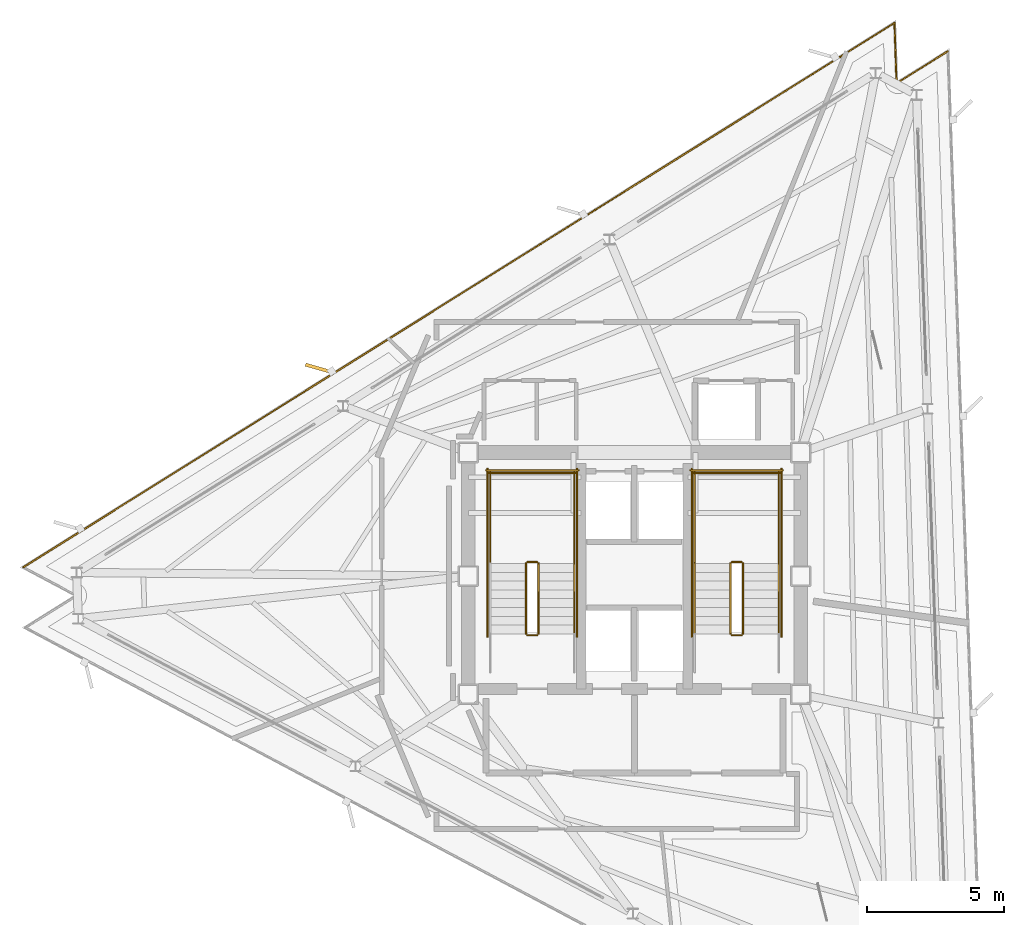
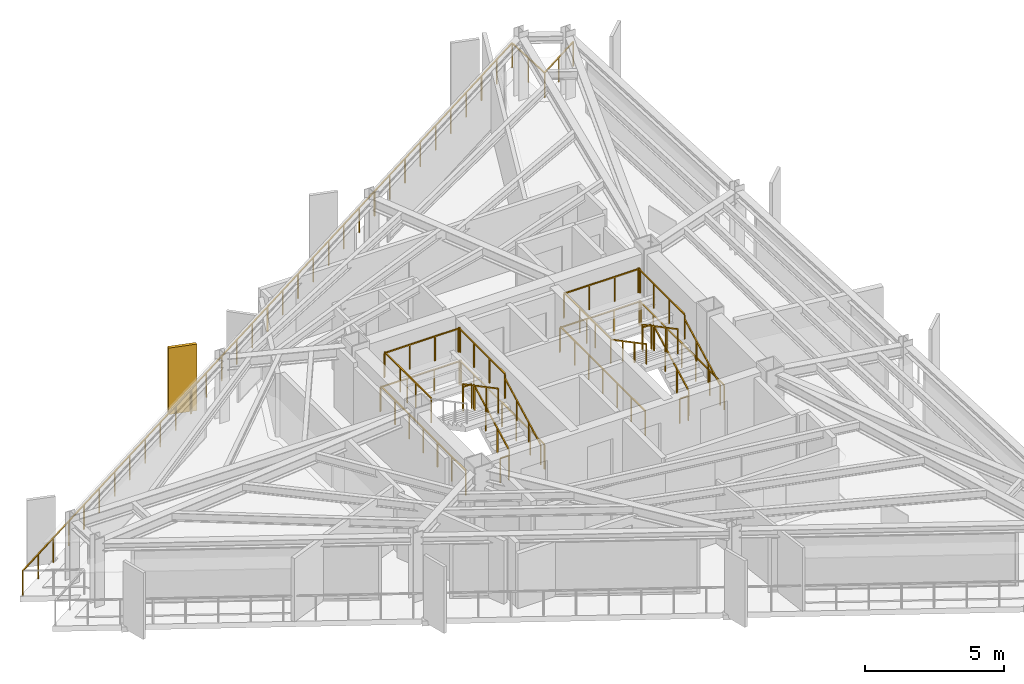
# One storey, part 11 of 12: 24 railings, 1 shading device.
"""IFC4 building model written with IfcOpenShell, lengths in metres."""

from ifc_helpers import new_model, si_unit, direction, frame, origin, origin_2d, place, context, subcontext, project, spatial, rectangle, extrude, material, layer, layer_set, type_object, element, save


model = new_model("IFC4")

# Units and contexts
model_context = context("Model", 3, precision=1e-05, world=origin(), true_north=direction((0.0, 1.0)))
body_context = subcontext(model_context, "Body", "Model", "MODEL_VIEW")
ifc_project = project(units=[si_unit("LENGTHUNIT", "METRE"), si_unit("AREAUNIT", "SQUARE_METRE"), si_unit("VOLUMEUNIT", "CUBIC_METRE"), si_unit("PLANEANGLEUNIT", "RADIAN"), si_unit("MASSUNIT", "GRAM", prefix="KILO")], contexts=[model_context])

# Site, building, storey
site_placement = place(None, origin())
site = spatial("IfcSite", under=ifc_project, at=site_placement, CompositionType="ELEMENT")
building_placement = place(site_placement, origin())
building = spatial("IfcBuilding", under=site, at=building_placement, Name="Rocaltana Carrier Exchange", CompositionType="ELEMENT")
storey_placement = place(building_placement, frame((0.0, 0.0, 205.760009765625)))
storey = spatial("IfcBuildingStorey", under=building, at=storey_placement, Name="L65", CompositionType="ELEMENT", Elevation=205.760009765625)

# Railings
ifc_material_1 = material(Name="Brushed Architectural Stainless Tube", Category="steel")
ifc_layer_1 = layer(ifc_material_1, 0.048095703125)
ifc_layer_set_1 = layer_set([ifc_layer_1], Name="Brushed Architectural Stainless Tube")
railing_type_1 = type_object("IfcRailingType", Name="Stair Wall Handrail 920", PredefinedType="HANDRAIL", material=ifc_layer_set_1)
for number, where, name in (
    (1, (-2.18994140625, -2.10009765625, 0.1689453125), "L65 ST-1 stair handrail 1"),
    (2, (5.25, -2.10009765625, 0.1689453125), "L65 ST-2 stair handrail 1"),
):
    element("IfcRailing", number, at=place(storey_placement, frame(where)), inside=storey, type_object=railing_type_1, Name=name, PredefinedType="HANDRAIL", context=body_context, shape_type="SweptSolid", body=[
        extrude(rectangle(XDim=0.048095703125, YDim=0.048095703125, at=origin_2d()), frame((0.0, 0.0, 0.8759765625), z_axis=(0.0, 0.884394423565, 0.466740295633), x_axis=(-1.0, 0.0, 0.0)), (0.0, 0.0, 1.0), 2.894775390625),
        extrude(rectangle(XDim=0.0419921875, YDim=0.0419921875, at=origin_2d()), origin(), (0.0, 0.0, 1.0), 0.851806640625),
        extrude(rectangle(XDim=0.0419921875, YDim=0.0419921875, at=origin_2d()), frame((0.0, 0.853271484375, 0.450439453125)), (0.0, 0.0, 1.0), 0.851806640625),
        extrude(rectangle(XDim=0.0419921875, YDim=0.0419921875, at=origin_2d()), frame((0.0, 1.706787109375, 0.900634765625)), (0.0, 0.0, 1.0), 0.851806640625),
        extrude(rectangle(XDim=0.0419921875, YDim=0.0419921875, at=origin_2d()), frame((0.0, 2.56005859375, 1.35107421875)), (0.0, 0.0, 1.0), 0.851806640625),
    ])
railing_1_placement = place(storey_placement, frame((2.18994140625, 0.4599609375, 1.68896484375)))
element("IfcRailing", 3, at=railing_1_placement, inside=storey, type_object=railing_type_1, Name="L65 ST-2 stair handrail 2", PredefinedType="HANDRAIL", context=body_context, shape_type="SweptSolid", body=[
    extrude(rectangle(XDim=0.048095703125, YDim=0.048095703125, at=origin_2d()), frame((0.0, 0.0, 0.8759765625), z_axis=(0.0, -0.884394423565, 0.466740295633), x_axis=(1.0, 0.0, 0.0)), (0.0, 0.0, 1.0), 2.894775390625),
    extrude(rectangle(XDim=0.0419921875, YDim=0.0419921875, at=origin_2d()), origin(), (0.0, 0.0, 1.0), 0.851806640625),
    extrude(rectangle(XDim=0.0419921875, YDim=0.0419921875, at=origin_2d()), frame((0.0, -0.853271484375, 0.450439453125)), (0.0, 0.0, 1.0), 0.851806640625),
    extrude(rectangle(XDim=0.0419921875, YDim=0.0419921875, at=origin_2d()), frame((0.0, -1.706787109375, 0.900634765625)), (0.0, 0.0, 1.0), 0.851806640625),
    extrude(rectangle(XDim=0.0419921875, YDim=0.0419921875, at=origin_2d()), frame((0.0, -2.56005859375, 1.35107421875)), (0.0, 0.0, 1.0), 0.851806640625),
])
ifc_material_2 = material(Name="Powder-Coated Aluminium 6063-T6", Category="aluminium")
ifc_layer_2 = layer(ifc_material_2, 0.048095703125)
ifc_layer_set_2 = layer_set([ifc_layer_2], Name="Powder-Coated Aluminium 6063-T6")
railing_type_2 = type_object("IfcRailingType", Name="Stair Well Guardrail 1100", PredefinedType="GUARDRAIL", material=ifc_layer_set_2)
railing_2_placement = place(storey_placement, frame((-3.489990234375, -2.10009765625, 0.1689453125)))
element("IfcRailing", 4, at=railing_2_placement, inside=storey, type_object=railing_type_2, Name="L65 ST-1 stair guard 1", PredefinedType="GUARDRAIL", context=body_context, shape_type="SweptSolid", body=[
    extrude(rectangle(XDim=0.048095703125, YDim=0.048095703125, at=origin_2d()), frame((0.0, 0.0, 1.076171875), z_axis=(0.0, 0.884394423565, 0.466740295633), x_axis=(-1.0, 0.0, 0.0)), (0.0, 0.0, 1.0), 2.894775390625),
    extrude(rectangle(XDim=0.0419921875, YDim=0.0419921875, at=origin_2d()), origin(), (0.0, 0.0, 1.0), 1.052001953125),
    extrude(rectangle(XDim=0.0419921875, YDim=0.0419921875, at=origin_2d()), frame((0.0, 0.853271484375, 0.450439453125)), (0.0, 0.0, 1.0), 1.052001953125),
    extrude(rectangle(XDim=0.0419921875, YDim=0.0419921875, at=origin_2d()), frame((0.0, 1.706787109375, 0.900634765625)), (0.0, 0.0, 1.0), 1.052001953125),
    extrude(rectangle(XDim=0.0419921875, YDim=0.0419921875, at=origin_2d()), frame((0.0, 2.56005859375, 1.35107421875)), (0.0, 0.0, 1.0), 1.052001953125),
])
railing_3_placement = place(storey_placement, frame((-3.5400390625, 0.510009765625, 1.52001953125)))
element("IfcRailing", 5, at=railing_3_placement, inside=storey, type_object=railing_type_2, Name="L65 ST-1 stair guard 2", PredefinedType="GUARDRAIL", context=body_context, shape_type="SweptSolid", body=[
    extrude(rectangle(XDim=0.048095703125, YDim=0.048095703125, at=origin_2d()), frame((0.0, 0.0, 1.076171875), z_axis=(-1.0, 0.0, 0.0), x_axis=(0.0, -1.0, 0.0)), (0.0, 0.0, 1.0), 0.35986328125),
    extrude(rectangle(XDim=0.0419921875, YDim=0.0419921875, at=origin_2d()), origin(), (0.0, 0.0, 1.0), 1.052001953125),
    extrude(rectangle(XDim=0.0419921875, YDim=0.0419921875, at=origin_2d()), frame((-0.35986328125, 0.0, 0.0)), (0.0, 0.0, 1.0), 1.052001953125),
])
for number, where, name in (
    (6, (-2.18994140625, 0.4599609375, 1.52001953125), "L65 ST-1 stair guard 3"),
    (7, (-5.25, 0.4599609375, 1.52001953125), "L65 ST-1 stair guard 4"),
):
    element("IfcRailing", number, at=place(storey_placement, frame(where)), inside=storey, type_object=railing_type_2, Name=name, PredefinedType="GUARDRAIL", context=body_context, shape_type="SweptSolid", body=[
        extrude(rectangle(XDim=0.048095703125, YDim=0.048095703125, at=origin_2d()), frame((0.0, 0.0, 1.076171875), z_axis=(0.0, 1.0, 0.0), x_axis=(-1.0, 0.0, 0.0)), (0.0, 0.0, 1.0), 3.340087890625),
        extrude(rectangle(XDim=0.0419921875, YDim=0.0419921875, at=origin_2d()), origin(), (0.0, 0.0, 1.0), 1.052001953125),
        extrude(rectangle(XDim=0.0419921875, YDim=0.0419921875, at=origin_2d()), frame((0.0, 1.11328125, 0.0)), (0.0, 0.0, 1.0), 1.052001953125),
        extrude(rectangle(XDim=0.0419921875, YDim=0.0419921875, at=origin_2d()), frame((0.0, 2.226806640625, 0.0)), (0.0, 0.0, 1.0), 1.052001953125),
        extrude(rectangle(XDim=0.0419921875, YDim=0.0419921875, at=origin_2d()), frame((0.0, 3.340087890625, 0.0)), (0.0, 0.0, 1.0), 1.052001953125),
    ])
railing_4_placement = place(storey_placement, frame((-2.139892578125, 3.75, 1.52001953125)))
element("IfcRailing", 8, at=railing_4_placement, inside=storey, type_object=railing_type_2, Name="L65 ST-1 stair guard 5", PredefinedType="GUARDRAIL", context=body_context, shape_type="SweptSolid", body=[
    extrude(rectangle(XDim=0.048095703125, YDim=0.048095703125, at=origin_2d()), frame((0.0, 0.0, 1.076171875), z_axis=(-1.0, 0.0, 0.0), x_axis=(0.0, -1.0, 0.0)), (0.0, 0.0, 1.0), 3.16015625),
    extrude(rectangle(XDim=0.0419921875, YDim=0.0419921875, at=origin_2d()), origin(), (0.0, 0.0, 1.0), 1.052001953125),
    extrude(rectangle(XDim=0.0419921875, YDim=0.0419921875, at=origin_2d()), frame((-1.053466796875, 0.0, 0.0)), (0.0, 0.0, 1.0), 1.052001953125),
    extrude(rectangle(XDim=0.0419921875, YDim=0.0419921875, at=origin_2d()), frame((-2.106689453125, 0.0, 0.0)), (0.0, 0.0, 1.0), 1.052001953125),
    extrude(rectangle(XDim=0.0419921875, YDim=0.0419921875, at=origin_2d()), frame((-3.16015625, 0.0, 0.0)), (0.0, 0.0, 1.0), 1.052001953125),
])
railing_5_placement = place(storey_placement, frame((-3.949951171875, 0.4599609375, 1.68896484375)))
element("IfcRailing", 9, at=railing_5_placement, inside=storey, type_object=railing_type_2, Name="L65 ST-1 stair guard 6", PredefinedType="GUARDRAIL", context=body_context, shape_type="SweptSolid", body=[
    extrude(rectangle(XDim=0.048095703125, YDim=0.048095703125, at=origin_2d()), frame((0.0, 0.0, 1.076171875), z_axis=(0.0, -0.884394423565, 0.466740295633), x_axis=(1.0, 0.0, 0.0)), (0.0, 0.0, 1.0), 2.894775390625),
    extrude(rectangle(XDim=0.0419921875, YDim=0.0419921875, at=origin_2d()), origin(), (0.0, 0.0, 1.0), 1.052001953125),
    extrude(rectangle(XDim=0.0419921875, YDim=0.0419921875, at=origin_2d()), frame((0.0, -0.853271484375, 0.450439453125)), (0.0, 0.0, 1.0), 1.052001953125),
    extrude(rectangle(XDim=0.0419921875, YDim=0.0419921875, at=origin_2d()), frame((0.0, -1.706787109375, 0.900634765625)), (0.0, 0.0, 1.0), 1.052001953125),
    extrude(rectangle(XDim=0.0419921875, YDim=0.0419921875, at=origin_2d()), frame((0.0, -2.56005859375, 1.35107421875)), (0.0, 0.0, 1.0), 1.052001953125),
])
railing_6_placement = place(storey_placement, frame((-3.5400390625, -2.14990234375, 0.0)))
element("IfcRailing", 10, at=railing_6_placement, inside=storey, type_object=railing_type_2, Name="L65 ST-1 stair guard 7", PredefinedType="GUARDRAIL", context=body_context, shape_type="SweptSolid", body=[
    extrude(rectangle(XDim=0.048095703125, YDim=0.048095703125, at=origin_2d()), frame((0.0, 0.0, 1.076171875), z_axis=(-1.0, 0.0, 0.0), x_axis=(0.0, -1.0, 0.0)), (0.0, 0.0, 1.0), 0.35986328125),
    extrude(rectangle(XDim=0.0419921875, YDim=0.0419921875, at=origin_2d()), origin(), (0.0, 0.0, 1.0), 1.052001953125),
    extrude(rectangle(XDim=0.0419921875, YDim=0.0419921875, at=origin_2d()), frame((-0.35986328125, 0.0, 0.0)), (0.0, 0.0, 1.0), 1.052001953125),
])
for number, where, name in (
    (11, (-2.090087890625, -2.199951171875, 0.0), "L65 ST-1 stair guard 10"),
    (12, (-5.35009765625, -2.199951171875, 0.0), "L65 ST-1 stair guard 11"),
):
    element("IfcRailing", number, at=place(storey_placement, frame(where)), inside=storey, type_object=railing_type_2, Name=name, PredefinedType="GUARDRAIL", context=body_context, shape_type="SweptSolid", body=[
        extrude(rectangle(XDim=0.048095703125, YDim=0.048095703125, at=origin_2d()), frame((0.0, 0.0, 1.076171875), z_axis=(0.0, 1.0, 0.0), x_axis=(-1.0, 0.0, 0.0)), (0.0, 0.0, 1.0), 6.099853515625),
        extrude(rectangle(XDim=0.0419921875, YDim=0.0419921875, at=origin_2d()), origin(), (0.0, 0.0, 1.0), 1.052001953125),
        extrude(rectangle(XDim=0.0419921875, YDim=0.0419921875, at=origin_2d()), frame((0.0, 1.0166015625, 0.0)), (0.0, 0.0, 1.0), 1.052001953125),
        extrude(rectangle(XDim=0.0419921875, YDim=0.0419921875, at=origin_2d()), frame((0.0, 2.033203125, 0.0)), (0.0, 0.0, 1.0), 1.052001953125),
        extrude(rectangle(XDim=0.0419921875, YDim=0.0419921875, at=origin_2d()), frame((0.0, 3.0498046875, 0.0)), (0.0, 0.0, 1.0), 1.052001953125),
        extrude(rectangle(XDim=0.0419921875, YDim=0.0419921875, at=origin_2d()), frame((0.0, 4.066650390625, 0.0)), (0.0, 0.0, 1.0), 1.052001953125),
        extrude(rectangle(XDim=0.0419921875, YDim=0.0419921875, at=origin_2d()), frame((0.0, 5.083251953125, 0.0)), (0.0, 0.0, 1.0), 1.052001953125),
        extrude(rectangle(XDim=0.0419921875, YDim=0.0419921875, at=origin_2d()), frame((0.0, 6.099853515625, 0.0)), (0.0, 0.0, 1.0), 1.052001953125),
    ])
railing_7_placement = place(storey_placement, frame((-2.0400390625, 3.85009765625, 0.0)))
element("IfcRailing", 13, at=railing_7_placement, inside=storey, type_object=railing_type_2, Name="L65 ST-1 stair guard 12", PredefinedType="GUARDRAIL", context=body_context, shape_type="SweptSolid", body=[
    extrude(rectangle(XDim=0.048095703125, YDim=0.048095703125, at=origin_2d()), frame((0.0, 0.0, 1.076171875), z_axis=(-1.0, 0.0, 0.0), x_axis=(0.0, -1.0, 0.0)), (0.0, 0.0, 1.0), 3.35986328125),
    extrude(rectangle(XDim=0.0419921875, YDim=0.0419921875, at=origin_2d()), origin(), (0.0, 0.0, 1.0), 1.052001953125),
    extrude(rectangle(XDim=0.0419921875, YDim=0.0419921875, at=origin_2d()), frame((-1.119873046875, 0.0, 0.0)), (0.0, 0.0, 1.0), 1.052001953125),
    extrude(rectangle(XDim=0.0419921875, YDim=0.0419921875, at=origin_2d()), frame((-2.239990234375, 0.0, 0.0)), (0.0, 0.0, 1.0), 1.052001953125),
    extrude(rectangle(XDim=0.0419921875, YDim=0.0419921875, at=origin_2d()), frame((-3.35986328125, 0.0, 0.0)), (0.0, 0.0, 1.0), 1.052001953125),
])
railing_8_placement = place(storey_placement, frame((3.949951171875, -2.10009765625, 0.1689453125)))
element("IfcRailing", 14, at=railing_8_placement, inside=storey, type_object=railing_type_2, Name="L65 ST-2 stair guard 1", PredefinedType="GUARDRAIL", context=body_context, shape_type="SweptSolid", body=[
    extrude(rectangle(XDim=0.048095703125, YDim=0.048095703125, at=origin_2d()), frame((0.0, 0.0, 1.076171875), z_axis=(0.0, 0.884394423565, 0.466740295633), x_axis=(-1.0, 0.0, 0.0)), (0.0, 0.0, 1.0), 2.894775390625),
    extrude(rectangle(XDim=0.0419921875, YDim=0.0419921875, at=origin_2d()), origin(), (0.0, 0.0, 1.0), 1.052001953125),
    extrude(rectangle(XDim=0.0419921875, YDim=0.0419921875, at=origin_2d()), frame((0.0, 0.853271484375, 0.450439453125)), (0.0, 0.0, 1.0), 1.052001953125),
    extrude(rectangle(XDim=0.0419921875, YDim=0.0419921875, at=origin_2d()), frame((0.0, 1.706787109375, 0.900634765625)), (0.0, 0.0, 1.0), 1.052001953125),
    extrude(rectangle(XDim=0.0419921875, YDim=0.0419921875, at=origin_2d()), frame((0.0, 2.56005859375, 1.35107421875)), (0.0, 0.0, 1.0), 1.052001953125),
])
railing_9_placement = place(storey_placement, frame((3.89990234375, 0.510009765625, 1.52001953125)))
element("IfcRailing", 15, at=railing_9_placement, inside=storey, type_object=railing_type_2, Name="L65 ST-2 stair guard 2", PredefinedType="GUARDRAIL", context=body_context, shape_type="SweptSolid", body=[
    extrude(rectangle(XDim=0.048095703125, YDim=0.048095703125, at=origin_2d()), frame((0.0, 0.0, 1.076171875), z_axis=(-1.0, 0.0, 0.0), x_axis=(0.0, -1.0, 0.0)), (0.0, 0.0, 1.0), 0.35986328125),
    extrude(rectangle(XDim=0.0419921875, YDim=0.0419921875, at=origin_2d()), origin(), (0.0, 0.0, 1.0), 1.052001953125),
    extrude(rectangle(XDim=0.0419921875, YDim=0.0419921875, at=origin_2d()), frame((-0.35986328125, 0.0, 0.0)), (0.0, 0.0, 1.0), 1.052001953125),
])
for number, where, name in (
    (16, (5.25, 0.4599609375, 1.52001953125), "L65 ST-2 stair guard 3"),
    (17, (2.18994140625, 0.4599609375, 1.52001953125), "L65 ST-2 stair guard 4"),
):
    element("IfcRailing", number, at=place(storey_placement, frame(where)), inside=storey, type_object=railing_type_2, Name=name, PredefinedType="GUARDRAIL", context=body_context, shape_type="SweptSolid", body=[
        extrude(rectangle(XDim=0.048095703125, YDim=0.048095703125, at=origin_2d()), frame((0.0, 0.0, 1.076171875), z_axis=(0.0, 1.0, 0.0), x_axis=(-1.0, 0.0, 0.0)), (0.0, 0.0, 1.0), 3.340087890625),
        extrude(rectangle(XDim=0.0419921875, YDim=0.0419921875, at=origin_2d()), origin(), (0.0, 0.0, 1.0), 1.052001953125),
        extrude(rectangle(XDim=0.0419921875, YDim=0.0419921875, at=origin_2d()), frame((0.0, 1.11328125, 0.0)), (0.0, 0.0, 1.0), 1.052001953125),
        extrude(rectangle(XDim=0.0419921875, YDim=0.0419921875, at=origin_2d()), frame((0.0, 2.226806640625, 0.0)), (0.0, 0.0, 1.0), 1.052001953125),
        extrude(rectangle(XDim=0.0419921875, YDim=0.0419921875, at=origin_2d()), frame((0.0, 3.340087890625, 0.0)), (0.0, 0.0, 1.0), 1.052001953125),
    ])
railing_10_placement = place(storey_placement, frame((5.300048828125, 3.75, 1.52001953125)))
element("IfcRailing", 18, at=railing_10_placement, inside=storey, type_object=railing_type_2, Name="L65 ST-2 stair guard 5", PredefinedType="GUARDRAIL", context=body_context, shape_type="SweptSolid", body=[
    extrude(rectangle(XDim=0.048095703125, YDim=0.048095703125, at=origin_2d()), frame((0.0, 0.0, 1.076171875), z_axis=(-1.0, 0.0, 0.0), x_axis=(0.0, -1.0, 0.0)), (0.0, 0.0, 1.0), 3.16015625),
    extrude(rectangle(XDim=0.0419921875, YDim=0.0419921875, at=origin_2d()), origin(), (0.0, 0.0, 1.0), 1.052001953125),
    extrude(rectangle(XDim=0.0419921875, YDim=0.0419921875, at=origin_2d()), frame((-1.053466796875, 0.0, 0.0)), (0.0, 0.0, 1.0), 1.052001953125),
    extrude(rectangle(XDim=0.0419921875, YDim=0.0419921875, at=origin_2d()), frame((-2.106689453125, 0.0, 0.0)), (0.0, 0.0, 1.0), 1.052001953125),
    extrude(rectangle(XDim=0.0419921875, YDim=0.0419921875, at=origin_2d()), frame((-3.16015625, 0.0, 0.0)), (0.0, 0.0, 1.0), 1.052001953125),
])
railing_11_placement = place(storey_placement, frame((3.489990234375, 0.4599609375, 1.68896484375)))
element("IfcRailing", 19, at=railing_11_placement, inside=storey, type_object=railing_type_2, Name="L65 ST-2 stair guard 6", PredefinedType="GUARDRAIL", context=body_context, shape_type="SweptSolid", body=[
    extrude(rectangle(XDim=0.048095703125, YDim=0.048095703125, at=origin_2d()), frame((0.0, 0.0, 1.076171875), z_axis=(0.0, -0.884394423565, 0.466740295633), x_axis=(1.0, 0.0, 0.0)), (0.0, 0.0, 1.0), 2.894775390625),
    extrude(rectangle(XDim=0.0419921875, YDim=0.0419921875, at=origin_2d()), origin(), (0.0, 0.0, 1.0), 1.052001953125),
    extrude(rectangle(XDim=0.0419921875, YDim=0.0419921875, at=origin_2d()), frame((0.0, -0.853271484375, 0.450439453125)), (0.0, 0.0, 1.0), 1.052001953125),
    extrude(rectangle(XDim=0.0419921875, YDim=0.0419921875, at=origin_2d()), frame((0.0, -1.706787109375, 0.900634765625)), (0.0, 0.0, 1.0), 1.052001953125),
    extrude(rectangle(XDim=0.0419921875, YDim=0.0419921875, at=origin_2d()), frame((0.0, -2.56005859375, 1.35107421875)), (0.0, 0.0, 1.0), 1.052001953125),
])
railing_12_placement = place(storey_placement, frame((3.89990234375, -2.14990234375, 0.0)))
element("IfcRailing", 20, at=railing_12_placement, inside=storey, type_object=railing_type_2, Name="L65 ST-2 stair guard 7", PredefinedType="GUARDRAIL", context=body_context, shape_type="SweptSolid", body=[
    extrude(rectangle(XDim=0.048095703125, YDim=0.048095703125, at=origin_2d()), frame((0.0, 0.0, 1.076171875), z_axis=(-1.0, 0.0, 0.0), x_axis=(0.0, -1.0, 0.0)), (0.0, 0.0, 1.0), 0.35986328125),
    extrude(rectangle(XDim=0.0419921875, YDim=0.0419921875, at=origin_2d()), origin(), (0.0, 0.0, 1.0), 1.052001953125),
    extrude(rectangle(XDim=0.0419921875, YDim=0.0419921875, at=origin_2d()), frame((-0.35986328125, 0.0, 0.0)), (0.0, 0.0, 1.0), 1.052001953125),
])
for number, where, name in (
    (21, (5.35009765625, -2.199951171875, 0.0), "L65 ST-2 stair guard 10"),
    (22, (2.090087890625, -2.199951171875, 0.0), "L65 ST-2 stair guard 11"),
):
    element("IfcRailing", number, at=place(storey_placement, frame(where)), inside=storey, type_object=railing_type_2, Name=name, PredefinedType="GUARDRAIL", context=body_context, shape_type="SweptSolid", body=[
        extrude(rectangle(XDim=0.048095703125, YDim=0.048095703125, at=origin_2d()), frame((0.0, 0.0, 1.076171875), z_axis=(0.0, 1.0, 0.0), x_axis=(-1.0, 0.0, 0.0)), (0.0, 0.0, 1.0), 6.099853515625),
        extrude(rectangle(XDim=0.0419921875, YDim=0.0419921875, at=origin_2d()), origin(), (0.0, 0.0, 1.0), 1.052001953125),
        extrude(rectangle(XDim=0.0419921875, YDim=0.0419921875, at=origin_2d()), frame((0.0, 1.0166015625, 0.0)), (0.0, 0.0, 1.0), 1.052001953125),
        extrude(rectangle(XDim=0.0419921875, YDim=0.0419921875, at=origin_2d()), frame((0.0, 2.033203125, 0.0)), (0.0, 0.0, 1.0), 1.052001953125),
        extrude(rectangle(XDim=0.0419921875, YDim=0.0419921875, at=origin_2d()), frame((0.0, 3.0498046875, 0.0)), (0.0, 0.0, 1.0), 1.052001953125),
        extrude(rectangle(XDim=0.0419921875, YDim=0.0419921875, at=origin_2d()), frame((0.0, 4.066650390625, 0.0)), (0.0, 0.0, 1.0), 1.052001953125),
        extrude(rectangle(XDim=0.0419921875, YDim=0.0419921875, at=origin_2d()), frame((0.0, 5.083251953125, 0.0)), (0.0, 0.0, 1.0), 1.052001953125),
        extrude(rectangle(XDim=0.0419921875, YDim=0.0419921875, at=origin_2d()), frame((0.0, 6.099853515625, 0.0)), (0.0, 0.0, 1.0), 1.052001953125),
    ])
railing_13_placement = place(storey_placement, frame((5.39990234375, 3.85009765625, 0.0)))
element("IfcRailing", 23, at=railing_13_placement, inside=storey, type_object=railing_type_2, Name="L65 ST-2 stair guard 12", PredefinedType="GUARDRAIL", context=body_context, shape_type="SweptSolid", body=[
    extrude(rectangle(XDim=0.048095703125, YDim=0.048095703125, at=origin_2d()), frame((0.0, 0.0, 1.076171875), z_axis=(-1.0, 0.0, 0.0), x_axis=(0.0, -1.0, 0.0)), (0.0, 0.0, 1.0), 3.35986328125),
    extrude(rectangle(XDim=0.0419921875, YDim=0.0419921875, at=origin_2d()), origin(), (0.0, 0.0, 1.0), 1.052001953125),
    extrude(rectangle(XDim=0.0419921875, YDim=0.0419921875, at=origin_2d()), frame((-1.119873046875, 0.0, 0.0)), (0.0, 0.0, 1.0), 1.052001953125),
    extrude(rectangle(XDim=0.0419921875, YDim=0.0419921875, at=origin_2d()), frame((-2.239990234375, 0.0, 0.0)), (0.0, 0.0, 1.0), 1.052001953125),
    extrude(rectangle(XDim=0.0419921875, YDim=0.0419921875, at=origin_2d()), frame((-3.35986328125, 0.0, 0.0)), (0.0, 0.0, 1.0), 1.052001953125),
])

# Shading device
ifc_material_3 = material(Name="Honed Bogota Sandstone & Concrete C45/55", Category="masonry")
ifc_layer_3 = layer(ifc_material_3, 0.1201171875)
ifc_layer_set_3 = layer_set([ifc_layer_3], Name="Honed Bogota Sandstone & Concrete C45/55")
shading_device_type = type_object("IfcShadingDeviceType", Name="Upper Sandstone Shading Fin 1050x120", PredefinedType="USERDEFINED", material=ifc_layer_set_3)
shading_device_placement = place(storey_placement, frame((-11.470703125, 7.55419921875, -0.119873046875), z_axis=(0.0, 0.0, 1.0), x_axis=(-0.961261695938, 0.275637355817, 0.0)))
element("IfcShadingDevice", 24, at=shading_device_placement, inside=storey, type_object=shading_device_type, Name="L65 Sandstone Vertical Fin F2-03", ObjectType="FIN", PredefinedType="USERDEFINED", context=body_context, shape_type="SweptSolid", body=[
    extrude(rectangle(XDim=1.050048828125, YDim=0.1201171875, at=origin_2d()), origin(), (0.0, 0.0, 1.0), 2.91796875),
])

# Railing
ifc_material_4 = material(Name="Powder-Coated Aluminium 6063-T6", Category="aluminium")
ifc_layer_4 = layer(ifc_material_4, 0.06005859375)
ifc_layer_set_4 = layer_set([ifc_layer_4], Name="Powder-Coated Aluminium 6063-T6")
railing_type_3 = type_object("IfcRailingType", Name="Wind-Floor & Terrace Perimeter Guardrail 1100", PredefinedType="GUARDRAIL", material=ifc_layer_set_4)
railing_14_placement = place(storey_placement, frame((-22.248291015625, 0.32373046875, 0.0)))
element("IfcRailing", 25, at=railing_14_placement, inside=storey, type_object=railing_type_3, Name="L65 Perimeter Balcony Guardrail 2", PredefinedType="GUARDRAIL", context=body_context, shape_type="SweptSolid", body=[
    extrude(rectangle(XDim=0.048095703125, YDim=0.048095703125, at=origin_2d()), frame((0.0, 0.0, 1.076171875), z_axis=(0.848050386707, 0.529915598568, 0.0), x_axis=(-0.529915598568, 0.848050386707, 0.0)), (0.0, 0.0, 1.0), 37.39208984375),
    extrude(rectangle(XDim=0.048095703125, YDim=0.048095703125, at=origin_2d()), frame((31.71044921875, 19.814697265625, 1.076171875), z_axis=(0.034848337617, -0.999392612223, 0.0), x_axis=(0.999392612223, 0.034848337617, 0.0)), (0.0, 0.0, 1.0), 2.19970703125),
    extrude(rectangle(XDim=0.048095703125, YDim=0.048095703125, at=origin_2d()), frame((31.787109375, 17.6162109375, 1.076171875), z_axis=(0.848060642886, 0.52989918474, 0.0), x_axis=(-0.52989918474, 0.848060642886, 0.0)), (0.0, 0.0, 1.0), 2.199951171875),
    extrude(rectangle(XDim=0.0419921875, YDim=0.0419921875, at=origin_2d()), origin(), (0.0, 0.0, 1.0), 1.052001953125),
    extrude(rectangle(XDim=0.0419921875, YDim=0.0419921875, at=origin_2d()), frame((0.990966796875, 0.619140625, 0.0)), (0.0, 0.0, 1.0), 1.052001953125),
    extrude(rectangle(XDim=0.0419921875, YDim=0.0419921875, at=origin_2d()), frame((1.98193359375, 1.238525390625, 0.0)), (0.0, 0.0, 1.0), 1.052001953125),
    extrude(rectangle(XDim=0.0419921875, YDim=0.0419921875, at=origin_2d()), frame((2.972900390625, 1.857666015625, 0.0)), (0.0, 0.0, 1.0), 1.052001953125),
    extrude(rectangle(XDim=0.0419921875, YDim=0.0419921875, at=origin_2d()), frame((3.9638671875, 2.476806640625, 0.0)), (0.0, 0.0, 1.0), 1.052001953125),
    extrude(rectangle(XDim=0.0419921875, YDim=0.0419921875, at=origin_2d()), frame((4.954833984375, 3.095947265625, 0.0)), (0.0, 0.0, 1.0), 1.052001953125),
    extrude(rectangle(XDim=0.0419921875, YDim=0.0419921875, at=origin_2d()), frame((5.94580078125, 3.71533203125, 0.0)), (0.0, 0.0, 1.0), 1.052001953125),
    extrude(rectangle(XDim=0.0419921875, YDim=0.0419921875, at=origin_2d()), frame((6.936767578125, 4.33447265625, 0.0)), (0.0, 0.0, 1.0), 1.052001953125),
    extrude(rectangle(XDim=0.0419921875, YDim=0.0419921875, at=origin_2d()), frame((7.927734375, 4.95361328125, 0.0)), (0.0, 0.0, 1.0), 1.052001953125),
    extrude(rectangle(XDim=0.0419921875, YDim=0.0419921875, at=origin_2d()), frame((8.91845703125, 5.572998046875, 0.0)), (0.0, 0.0, 1.0), 1.052001953125),
    extrude(rectangle(XDim=0.0419921875, YDim=0.0419921875, at=origin_2d()), frame((9.909423828125, 6.192138671875, 0.0)), (0.0, 0.0, 1.0), 1.052001953125),
    extrude(rectangle(XDim=0.0419921875, YDim=0.0419921875, at=origin_2d()), frame((10.900390625, 6.811279296875, 0.0)), (0.0, 0.0, 1.0), 1.052001953125),
    extrude(rectangle(XDim=0.0419921875, YDim=0.0419921875, at=origin_2d()), frame((11.891357421875, 7.430419921875, 0.0)), (0.0, 0.0, 1.0), 1.052001953125),
    extrude(rectangle(XDim=0.0419921875, YDim=0.0419921875, at=origin_2d()), frame((12.88232421875, 8.0498046875, 0.0)), (0.0, 0.0, 1.0), 1.052001953125),
    extrude(rectangle(XDim=0.0419921875, YDim=0.0419921875, at=origin_2d()), frame((13.873291015625, 8.6689453125, 0.0)), (0.0, 0.0, 1.0), 1.052001953125),
    extrude(rectangle(XDim=0.0419921875, YDim=0.0419921875, at=origin_2d()), frame((14.8642578125, 9.2880859375, 0.0)), (0.0, 0.0, 1.0), 1.052001953125),
    extrude(rectangle(XDim=0.0419921875, YDim=0.0419921875, at=origin_2d()), frame((15.855224609375, 9.9072265625, 0.0)), (0.0, 0.0, 1.0), 1.052001953125),
    extrude(rectangle(XDim=0.0419921875, YDim=0.0419921875, at=origin_2d()), frame((16.84619140625, 10.526611328125, 0.0)), (0.0, 0.0, 1.0), 1.052001953125),
    extrude(rectangle(XDim=0.0419921875, YDim=0.0419921875, at=origin_2d()), frame((17.837158203125, 11.145751953125, 0.0)), (0.0, 0.0, 1.0), 1.052001953125),
    extrude(rectangle(XDim=0.0419921875, YDim=0.0419921875, at=origin_2d()), frame((18.828125, 11.764892578125, 0.0)), (0.0, 0.0, 1.0), 1.052001953125),
    extrude(rectangle(XDim=0.0419921875, YDim=0.0419921875, at=origin_2d()), frame((19.819091796875, 12.38427734375, 0.0)), (0.0, 0.0, 1.0), 1.052001953125),
    extrude(rectangle(XDim=0.0419921875, YDim=0.0419921875, at=origin_2d()), frame((20.81005859375, 13.00341796875, 0.0)), (0.0, 0.0, 1.0), 1.052001953125),
    extrude(rectangle(XDim=0.0419921875, YDim=0.0419921875, at=origin_2d()), frame((21.801025390625, 13.62255859375, 0.0)), (0.0, 0.0, 1.0), 1.052001953125),
    extrude(rectangle(XDim=0.0419921875, YDim=0.0419921875, at=origin_2d()), frame((22.7919921875, 14.24169921875, 0.0)), (0.0, 0.0, 1.0), 1.052001953125),
    extrude(rectangle(XDim=0.0419921875, YDim=0.0419921875, at=origin_2d()), frame((23.78271484375, 14.861083984375, 0.0)), (0.0, 0.0, 1.0), 1.052001953125),
    extrude(rectangle(XDim=0.0419921875, YDim=0.0419921875, at=origin_2d()), frame((24.773681640625, 15.480224609375, 0.0)), (0.0, 0.0, 1.0), 1.052001953125),
    extrude(rectangle(XDim=0.0419921875, YDim=0.0419921875, at=origin_2d()), frame((25.7646484375, 16.099365234375, 0.0)), (0.0, 0.0, 1.0), 1.052001953125),
    extrude(rectangle(XDim=0.0419921875, YDim=0.0419921875, at=origin_2d()), frame((26.755615234375, 16.71875, 0.0)), (0.0, 0.0, 1.0), 1.052001953125),
    extrude(rectangle(XDim=0.0419921875, YDim=0.0419921875, at=origin_2d()), frame((27.74658203125, 17.337890625, 0.0)), (0.0, 0.0, 1.0), 1.052001953125),
    extrude(rectangle(XDim=0.0419921875, YDim=0.0419921875, at=origin_2d()), frame((28.737548828125, 17.95703125, 0.0)), (0.0, 0.0, 1.0), 1.052001953125),
    extrude(rectangle(XDim=0.0419921875, YDim=0.0419921875, at=origin_2d()), frame((29.728515625, 18.576171875, 0.0)), (0.0, 0.0, 1.0), 1.052001953125),
    extrude(rectangle(XDim=0.0419921875, YDim=0.0419921875, at=origin_2d()), frame((30.719482421875, 19.195556640625, 0.0)), (0.0, 0.0, 1.0), 1.052001953125),
    extrude(rectangle(XDim=0.0419921875, YDim=0.0419921875, at=origin_2d()), frame((31.71044921875, 19.814697265625, 0.0)), (0.0, 0.0, 1.0), 1.052001953125),
    extrude(rectangle(XDim=0.0419921875, YDim=0.0419921875, at=origin_2d()), frame((31.748779296875, 18.71533203125, 0.0)), (0.0, 0.0, 1.0), 1.052001953125),
    extrude(rectangle(XDim=0.0419921875, YDim=0.0419921875, at=origin_2d()), frame((31.787109375, 17.6162109375, 0.0)), (0.0, 0.0, 1.0), 1.052001953125),
    extrude(rectangle(XDim=0.0419921875, YDim=0.0419921875, at=origin_2d()), frame((32.719970703125, 18.19921875, 0.0)), (0.0, 0.0, 1.0), 1.052001953125),
    extrude(rectangle(XDim=0.0419921875, YDim=0.0419921875, at=origin_2d()), frame((33.65283203125, 18.781982421875, 0.0)), (0.0, 0.0, 1.0), 1.052001953125),
])

save(model, "model.ifc")
